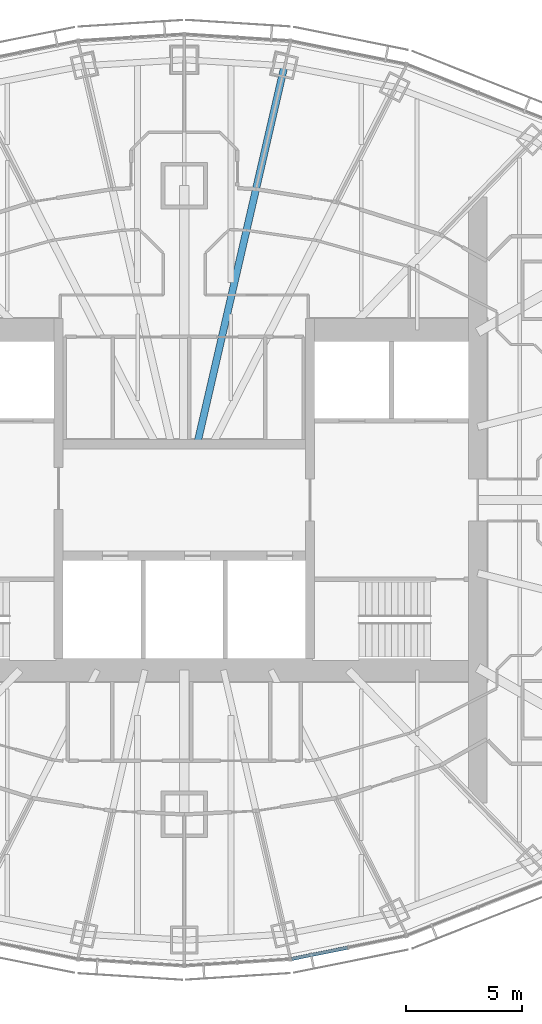
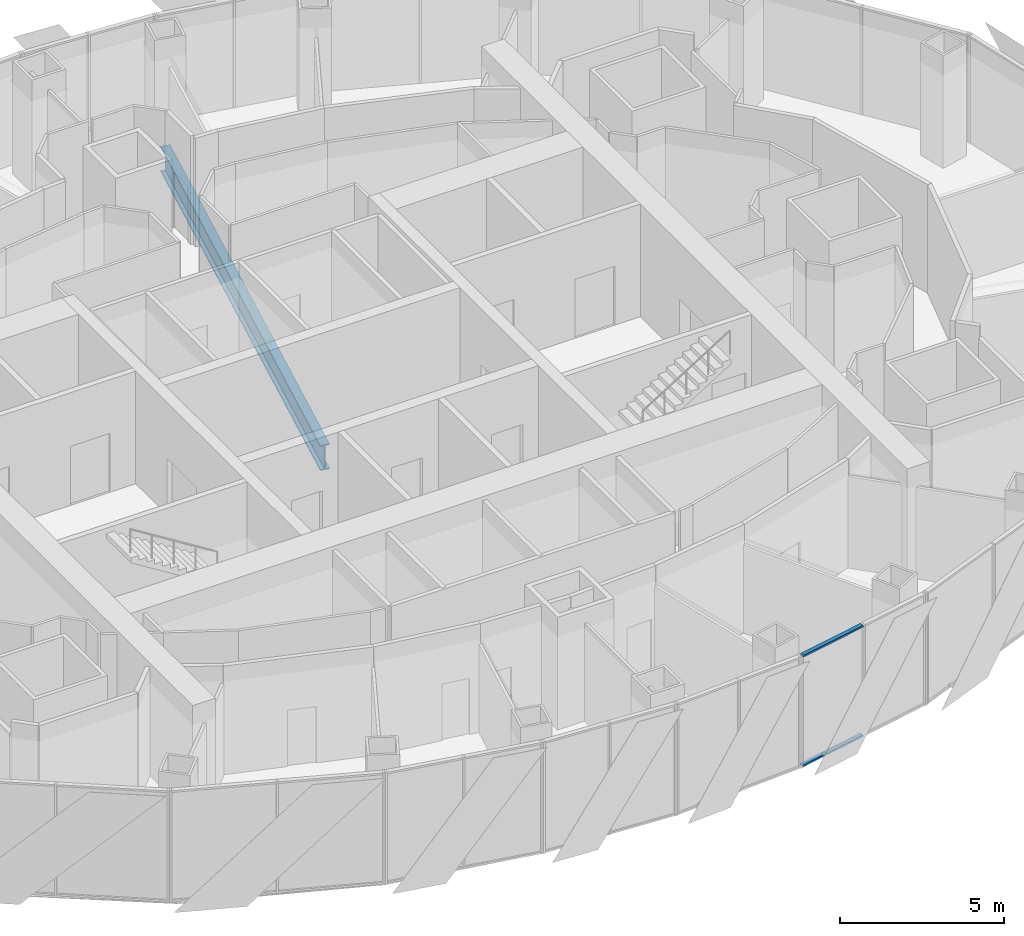
# One storey, part 5 of 18: 2 members, 1 beam, 1 element without a shape of its own.
"""IFC4 building model written with IfcOpenShell, lengths in metres."""

from ifc_helpers import new_model, si_unit, direction, frame, origin, origin_2d, place, context, subcontext, project, spatial, rectangle, i_section, extrude, material, material_profile, profile_set, type_object, element, aggregate, save


model = new_model("IFC4")

# Units and contexts
model_context = context("Model", 3, precision=1e-05, world=origin(), true_north=direction((0.0, 1.0)))
body_context = subcontext(model_context, "Body", "Model", "MODEL_VIEW")
ifc_project = project(units=[si_unit("LENGTHUNIT", "METRE"), si_unit("AREAUNIT", "SQUARE_METRE"), si_unit("VOLUMEUNIT", "CUBIC_METRE"), si_unit("PLANEANGLEUNIT", "RADIAN"), si_unit("MASSUNIT", "GRAM", prefix="KILO")], contexts=[model_context])

# Site, building, storey
site_placement = place(None, origin())
site = spatial("IfcSite", under=ifc_project, at=site_placement, CompositionType="ELEMENT")
building_placement = place(site_placement, origin())
building = spatial("IfcBuilding", under=site, at=building_placement, Name="Lantaw Convention Tower", CompositionType="ELEMENT")
storey_placement = place(building_placement, frame((0.0, 0.0, 228.39990234375)))
storey = spatial("IfcBuildingStorey", under=building, at=storey_placement, Name="L53", CompositionType="ELEMENT", Elevation=228.39990234375)

# Beam
ifc_material_1 = material(Name="Steel ASTM A992", Category="steel")
ifc_material_profile_1 = material_profile(ifc_material_1, i_section(OverallWidth=0.307373046875, OverallDepth=0.9423828125, WebThickness=0.022216796875, FlangeThickness=0.039794921875, FilletRadius=0.0126953125, at=origin_2d()), Name="W36X232")
ifc_profile_set_1 = profile_set([ifc_material_profile_1], Name="Steel ASTM A992")
beam_type = type_object("IfcBeamType", Name="Beam G W36X232", PredefinedType="BEAM", material=ifc_profile_set_1)
beam_placement = place(storey_placement, frame((0.55419921875, 2.39990234375, -0.62109375), z_axis=(0.224948287002, 0.974370703672, 0.0), x_axis=(-0.974370703672, 0.224948287002, 0.0)))
element("IfcBeam", 1, at=beam_placement, inside=storey, type_object=beam_type, Name="Floor girder on ray 6", PredefinedType="BEAM", context=body_context, shape_type="SweptSolid", body=[
    extrude(i_section(OverallWidth=0.307373046875, OverallDepth=0.9423828125, WebThickness=0.022216796875, FlangeThickness=0.039794921875, FilletRadius=0.0126953125, at=origin_2d()), origin(), (0.0, 0.0, 1.0), 16.66943359375),
])

# Curtain wall, members
ifc_material_2 = material(Name="Aluminium framed curtain wall", Category="aluminium")
curtain_wall_type = type_object("IfcCurtainWallType", Name="Office curtain wall high rise, pale aluminium", PredefinedType="USERDEFINED", material=ifc_material_2)
curtain_wall_placement = place(storey_placement, origin())
curtain_wall = element("IfcCurtainWall", 2, at=curtain_wall_placement, inside=storey, type_object=curtain_wall_type, Name="Office curtain wall high rise, pale aluminium L53", ObjectType="UNITISED CURTAIN WALL", PredefinedType="USERDEFINED")
ifc_material_3 = material(Name="Aluminium 6063-T6", Category="aluminium")
ifc_material_profile_2 = material_profile(ifc_material_3, rectangle(XDim=0.14990234375, YDim=0.06494140625, at=origin_2d()), Name="CW-O2 transom 65x150")
ifc_profile_set_2 = profile_set([ifc_material_profile_2], Name="Aluminium 6063-T6")
member_type = type_object("IfcMemberType", Name="CW-O2 transom 65x150", PredefinedType="USERDEFINED", material=ifc_profile_set_2)
member_1_placement = place(storey_placement, frame((4.614990234375, -19.700927734375, -0.117431640625), z_axis=(0.980380354178, 0.197115096178, 0.0), x_axis=(-0.197115096178, 0.980380354178, 0.0)))
member_1 = element("IfcMember", 3, at=member_1_placement, type_object=member_type, Name="CW-O2 transom 1.1", ObjectType="TRANSOM", PredefinedType="USERDEFINED", context=body_context, shape_type="SweptSolid", body=[
    extrude(rectangle(XDim=0.14990234375, YDim=0.06494140625, at=origin_2d()), origin(), (0.0, 0.0, 1.0), 2.443603515625),
])
member_2_placement = place(storey_placement, frame((4.614990234375, -19.700927734375, 3.967529296875), z_axis=(0.980380354178, 0.197115096178, 0.0), x_axis=(-0.197115096178, 0.980380354178, 0.0)))
member_2 = element("IfcMember", 4, at=member_2_placement, type_object=member_type, Name="CW-O2 transom 1.2", ObjectType="TRANSOM", PredefinedType="USERDEFINED", context=body_context, shape_type="SweptSolid", body=[
    extrude(rectangle(XDim=0.14990234375, YDim=0.06494140625, at=origin_2d()), origin(), (0.0, 0.0, 1.0), 2.443603515625),
])
aggregate(curtain_wall, [member_1, member_2])

save(model, "model.ifc")
